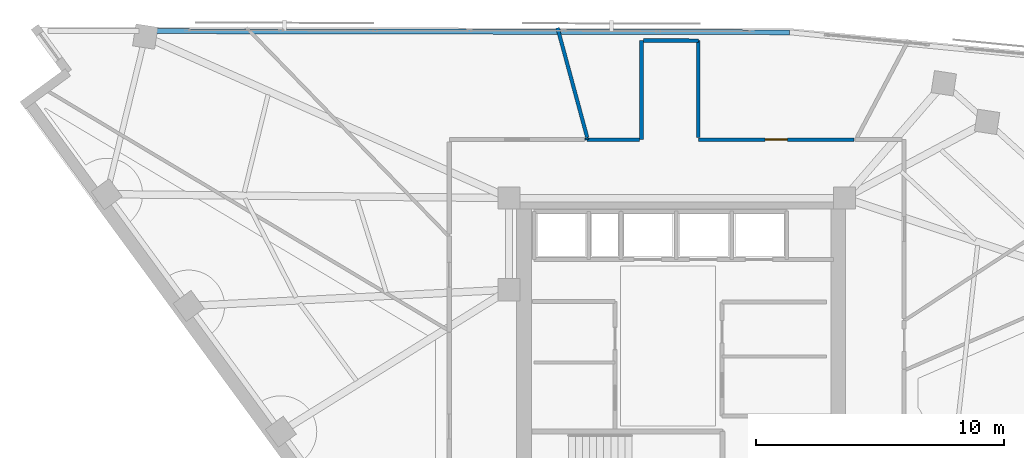
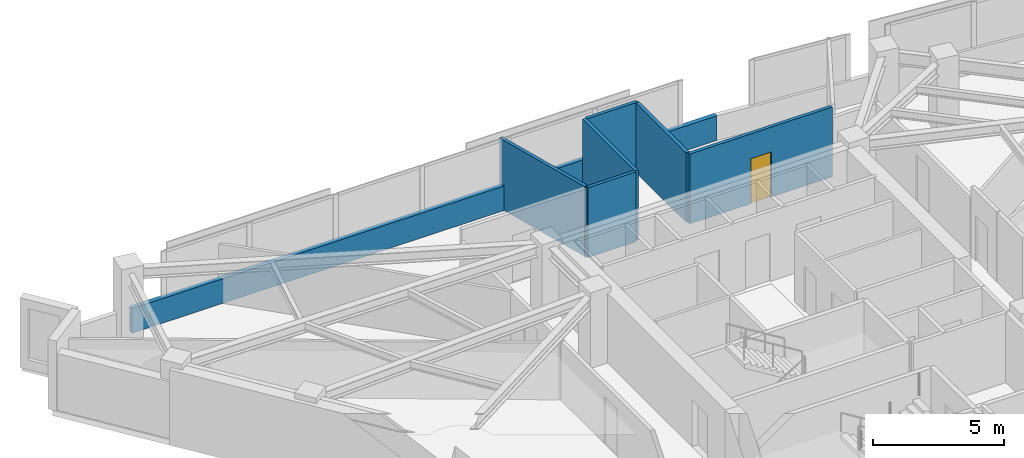
# One storey, part 10 of 14: 8 walls, 1 door, 1 opening.
"""IFC4 building model written with IfcOpenShell, lengths in metres."""

from ifc_helpers import new_model, si_unit, direction, frame, frame_2d, origin, place, context, subcontext, project, spatial, rectangle, extrude, material, layer, layer_set, type_object, element, fill, save


model = new_model("IFC4")

# Units and contexts
model_context = context("Model", 3, precision=1e-05, world=origin(), true_north=direction((0.0, 1.0)))
body_context = subcontext(model_context, "Body", "Model", "MODEL_VIEW")
ifc_project = project(units=[si_unit("LENGTHUNIT", "METRE"), si_unit("AREAUNIT", "SQUARE_METRE"), si_unit("VOLUMEUNIT", "CUBIC_METRE"), si_unit("PLANEANGLEUNIT", "RADIAN"), si_unit("MASSUNIT", "GRAM", prefix="KILO")], contexts=[model_context])

# Site, building, storey
site_placement = place(None, origin())
site = spatial("IfcSite", under=ifc_project, at=site_placement, CompositionType="ELEMENT")
building_placement = place(site_placement, origin())
building = spatial("IfcBuilding", under=site, at=building_placement, Name="Narakoshi Arena Tower", CompositionType="ELEMENT")
storey_placement = place(building_placement, frame((0.0, 0.0, 236.10009765625)))
storey = spatial("IfcBuildingStorey", under=building, at=storey_placement, Name="L64", CompositionType="ELEMENT", Elevation=236.10009765625)

# Wall
ifc_material_1 = material(Name="Precast concrete C45/55", Category="concrete")
ifc_layer_1 = layer(ifc_material_1, 0.25)
ifc_layer_set_1 = layer_set([ifc_layer_1], Name="Precast concrete C45/55")
wall_type_1 = type_object("IfcWallType", Name="WL-PARA-250", PredefinedType="PARAPET", material=ifc_layer_set_1)
wall_1_placement = place(storey_placement, frame((83.332275390625, 63.193359375, 0.0), z_axis=(0.0, 0.0, 1.0), x_axis=(-0.999998363757, 0.001809000383, 0.0)))
element("IfcWall", 1, at=wall_1_placement, inside=storey, type_object=wall_type_1, Name="L64 Hypotenuse Sill Upstand Parapet 2-01", PredefinedType="PARAPET", context=body_context, shape_type="SweptSolid", body=[
    extrude(rectangle(XDim=25.777099609375, YDim=0.199951171875, at=frame_2d((12.888671875, 0.0))), origin(), (0.0, 0.0, 1.0), 1.14990234375),
])

# Wall, opening, door
ifc_material_2 = material(Name="Moisture-resistant cement-board partition")
ifc_layer_2 = layer(ifc_material_2, 0.14501953125)
ifc_layer_set_2 = layer_set([ifc_layer_2], Name="Moisture-resistant cement-board partition")
wall_type_2 = type_object("IfcWallType", Name="WL-WET-145", PredefinedType="PARTITIONING", material=ifc_layer_set_2)
wall_2_placement = place(storey_placement, frame((85.94189453125, 58.861328125, 0.0), z_axis=(0.0, 0.0, 1.0), x_axis=(-1.0, 0.0, 0.0)))
wall_2 = element("IfcWall", 2, at=wall_2_placement, inside=storey, type_object=wall_type_2, Name="L64 Corridor Partition 06-1", PredefinedType="PARTITIONING", context=body_context, shape_type="SweptSolid", body=[
    extrude(rectangle(XDim=6.2919921875, YDim=0.14501953125, at=frame_2d((3.14599609375, 0.0))), origin(), (0.0, 0.0, 1.0), 3.260009765625),
])
opening_placement = place(wall_2_placement, frame((2.69580078125, 0.0, 0.0)))
opening = element("IfcOpeningElement", 3, at=opening_placement, cuts=wall_2, Name="Opening D-08", PredefinedType="OPENING", context=body_context, shape_type="SweptSolid", body=[
    extrude(rectangle(XDim=0.89990234375, YDim=2.10009765625, at=frame_2d((0.449951171875, 1.050048828125))), frame((0.0, 0.08251953125, 0.0), z_axis=(0.0, -1.0, 0.0), x_axis=(1.0, 0.0, 0.0)), (0.0, 0.0, 1.0), 0.1650390625),
])
ifc_material_3 = material(Name="Moisture-resistant laminate timber", Category="wood")
door_type = type_object("IfcDoorType", Name="DR-WC-900", OperationType="NOTDEFINED", PredefinedType="DOOR", material=ifc_material_3)
door_placement = place(opening_placement, frame((0.89990234375, 0.0, 0.0), z_axis=(0.0, 0.0, 1.0), x_axis=(-1.0, 0.0, 0.0)))
door = element("IfcDoor", 4, at=door_placement, inside=storey, type_object=door_type, Name="DR-L64-022", OperationType="SINGLE_SWING_LEFT", OverallHeight=2.10009765625, OverallWidth=0.89990234375, PredefinedType="DOOR", context=body_context, shape_type="SweptSolid", body=[
    extrude(rectangle(XDim=0.89990234375, YDim=2.10009765625, at=frame_2d((0.449951171875, 1.050048828125))), frame((0.0, 0.02490234375, 0.0), z_axis=(0.0, -1.0, 0.0), x_axis=(1.0, 0.0, 0.0)), (0.0, 0.0, 1.0), 0.050048828125),
])
fill(opening, door)

# Walls
wall_3_placement = place(storey_placement, frame((77.35009765625, 62.8642578125, 0.0), z_axis=(0.0, 0.0, 1.0), x_axis=(0.0, -1.0, 0.0)))
element("IfcWall", 5, at=wall_3_placement, inside=storey, type_object=wall_type_2, Name="L64 Corridor Partition 06-2", PredefinedType="PARTITIONING", context=body_context, shape_type="SweptSolid", body=[
    extrude(rectangle(XDim=4.0029296875, YDim=0.14501953125, at=frame_2d((2.00146484375, 0.0))), origin(), (0.0, 0.0, 1.0), 3.260009765625),
])
wall_4_placement = place(storey_placement, frame((79.64990234375, 58.94580078125, 0.0), z_axis=(0.0, 0.0, 1.0), x_axis=(0.0, 1.0, 0.0)))
element("IfcWall", 6, at=wall_4_placement, inside=storey, type_object=wall_type_2, Name="L64 Corridor Partition 06-3", PredefinedType="PARTITIONING", context=body_context, shape_type="SweptSolid", body=[
    extrude(rectangle(XDim=3.914306640625, YDim=0.14501953125, at=frame_2d((1.95703125, 0.0))), origin(), (0.0, 0.0, 1.0), 3.260009765625),
])
wall_5_placement = place(storey_placement, frame((79.64990234375, 62.860107421875, 0.0), z_axis=(0.0, 0.0, 1.0), x_axis=(-0.999998445426, 0.001763276959, 0.0)))
element("IfcWall", 7, at=wall_5_placement, inside=storey, type_object=wall_type_2, Name="L64 Corridor Partition 06-4", PredefinedType="PARTITIONING", context=body_context, shape_type="SweptSolid", body=[
    extrude(rectangle(XDim=2.21533203125, YDim=0.14501953125, at=frame_2d((1.107666015625, 0.0))), origin(), (0.0, 0.0, 1.0), 3.260009765625),
])
wall_6_placement = place(storey_placement, frame((77.265380859375, 58.861328125, 0.0), z_axis=(0.0, 0.0, 1.0), x_axis=(-1.0, 0.0, 0.0)))
element("IfcWall", 8, at=wall_6_placement, inside=storey, type_object=wall_type_2, Name="L64 Corridor Partition 06-5", PredefinedType="PARTITIONING", context=body_context, shape_type="SweptSolid", body=[
    extrude(rectangle(XDim=2.1181640625, YDim=0.14501953125, at=frame_2d((1.05908203125, 0.0))), origin(), (0.0, 0.0, 1.0), 3.260009765625),
])
wall_7_placement = place(storey_placement, frame((75.147216796875, 58.861328125, 0.0), z_axis=(0.0, 0.0, 1.0), x_axis=(-0.266431172243, 0.963853946642, 0.0)))
element("IfcWall", 9, at=wall_7_placement, inside=storey, type_object=wall_type_2, Name="L64 Corridor Partition 06-6", PredefinedType="PARTITIONING", context=body_context, shape_type="SweptSolid", body=[
    extrude(rectangle(XDim=0.062255859375, YDim=0.14501953125, at=frame_2d((0.03125, 0.0))), origin(), (0.0, 0.0, 1.0), 3.260009765625),
])
wall_8_placement = place(storey_placement, frame((75.159423828125, 58.94580078125, 0.0), z_axis=(0.0, 0.0, 1.0), x_axis=(-0.26149920666, 0.965203690895, 0.0)))
element("IfcWall", 10, at=wall_8_placement, inside=storey, type_object=wall_type_2, Name="L64 Inter-Room Partition 06-08", PredefinedType="PARTITIONING", context=body_context, shape_type="SweptSolid", body=[
    extrude(rectangle(XDim=4.583984375, YDim=0.14501953125, at=frame_2d((2.2919921875, 0.0))), origin(), (0.0, 0.0, 1.0), 3.260009765625),
])

save(model, "model.ifc")
